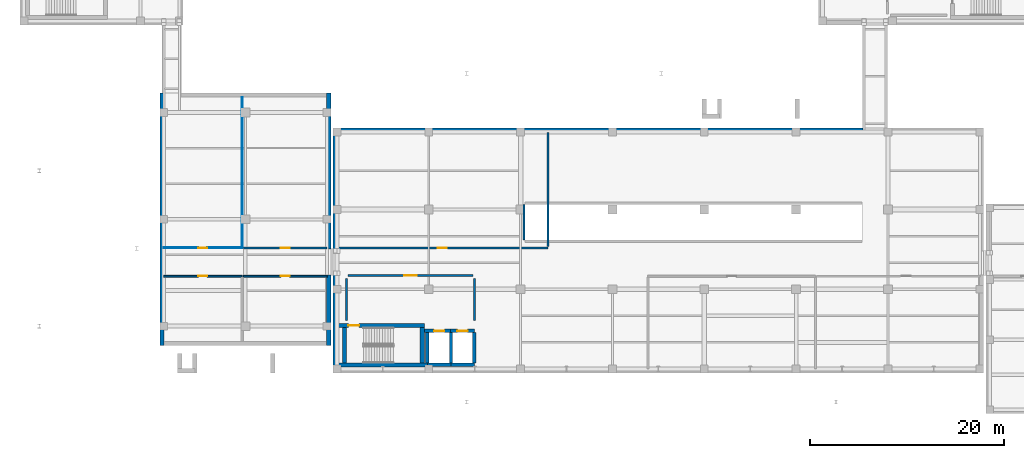
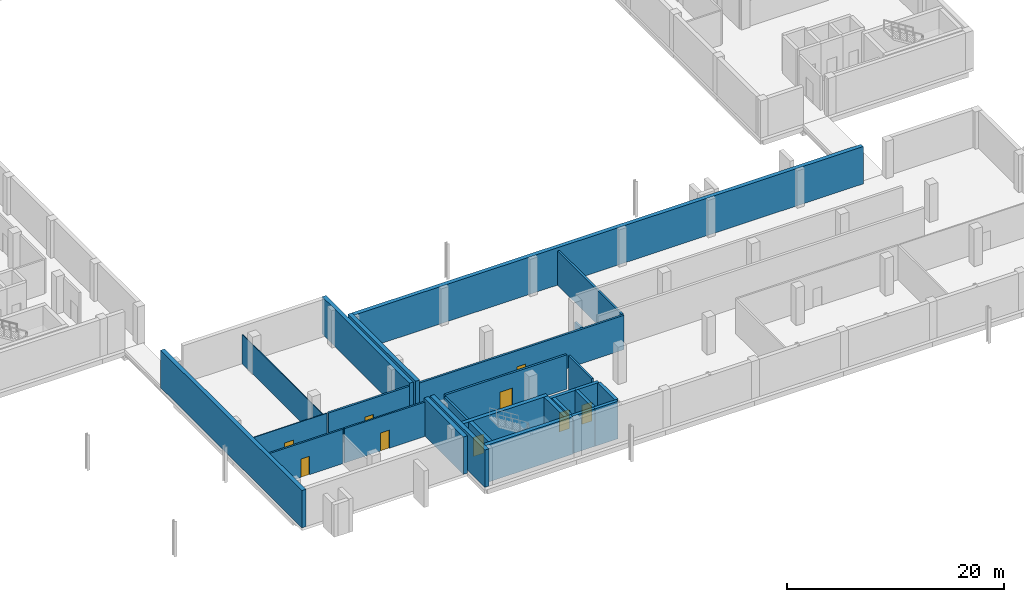
# One storey, part 15 of 31: 28 walls, 9 doors, 9 openings.
"""IFC4 building model written with IfcOpenShell, lengths in metres."""

from ifc_helpers import new_model, si_unit, direction, frame, frame_2d, origin, place, context, subcontext, project, spatial, rectangle, extrude, material, layer, layer_set, type_object, element, fill, save


model = new_model("IFC4")

# Units and contexts
model_context = context("Model", 3, precision=1e-05, world=origin(), true_north=direction((0.0, 1.0)))
body_context = subcontext(model_context, "Body", "Model", "MODEL_VIEW")
ifc_project = project(units=[si_unit("LENGTHUNIT", "METRE"), si_unit("AREAUNIT", "SQUARE_METRE"), si_unit("VOLUMEUNIT", "CUBIC_METRE"), si_unit("PLANEANGLEUNIT", "RADIAN"), si_unit("MASSUNIT", "GRAM", prefix="KILO")], contexts=[model_context])

# Site, building, storey
site_placement = place(None, origin())
site = spatial("IfcSite", under=ifc_project, at=site_placement, CompositionType="ELEMENT")
building_placement = place(site_placement, origin())
building = spatial("IfcBuilding", under=site, at=building_placement, Name="Qalavern Law Courts", CompositionType="ELEMENT")
storey_placement = place(building_placement, frame((0.0, 0.0, -4.199951171875)))
storey = spatial("IfcBuildingStorey", under=building, at=storey_placement, Name="B1", CompositionType="ELEMENT", Elevation=-4.199951171875)

# Walls
ifc_material_1 = material(Name="Concrete C35/45", Category="concrete")
ifc_layer_1 = layer(ifc_material_1, 0.429931640625)
ifc_layer_set_1 = layer_set([ifc_layer_1], Name="Concrete C35/45")
wall_type_1 = type_object("IfcWallType", Name="ENV-EW-RET430", PredefinedType="SOLIDWALL", material=ifc_layer_set_1)
wall_1_placement = place(storey_placement, frame((33.784912109375, 8.0, 0.0), z_axis=(0.0, 0.0, 1.0), x_axis=(0.0, 1.0, 0.0)))
element("IfcWall", 1, at=wall_1_placement, inside=storey, type_object=wall_type_1, Name="V1 basement retaining wall B1 east", PredefinedType="SOLIDWALL", context=body_context, shape_type="SweptSolid", body=[
    extrude(rectangle(XDim=7.25, YDim=0.429931640625, at=frame_2d((3.625, 0.0))), origin(), (0.0, 0.0, 1.0), 4.199951171875),
])
wall_2_placement = place(storey_placement, frame((33.784912109375, 17.949951171875, 0.0), z_axis=(0.0, 0.0, 1.0), x_axis=(0.0, 1.0, 0.0)))
element("IfcWall", 2, at=wall_2_placement, inside=storey, type_object=wall_type_1, Name="V1 basement retaining wall B1 east", PredefinedType="SOLIDWALL", context=body_context, shape_type="SweptSolid", body=[
    extrude(rectangle(XDim=16.050048828125, YDim=0.429931640625, at=frame_2d((8.02490234375, 0.0))), origin(), (0.0, 0.0, 1.0), 4.199951171875),
])
wall_3_placement = place(storey_placement, frame((16.614990234375, 34.0, 0.0), z_axis=(0.0, 0.0, 1.0), x_axis=(0.0, -1.0, 0.0)))
element("IfcWall", 3, at=wall_3_placement, inside=storey, type_object=wall_type_1, Name="V1 basement retaining wall B1 west", PredefinedType="SOLIDWALL", context=body_context, shape_type="SweptSolid", body=[
    extrude(rectangle(XDim=26.0, YDim=0.429931640625, at=frame_2d((13.0, 0.0))), origin(), (0.0, 0.0, 1.0), 4.199951171875),
])
wall_4_placement = place(storey_placement, frame((88.75, 30.18505859375, 0.0), z_axis=(0.0, 0.0, 1.0), x_axis=(-1.0, 0.0, 0.0)))
element("IfcWall", 4, at=wall_4_placement, inside=storey, type_object=wall_type_1, Name="V2 basement retaining wall B1 north", PredefinedType="SOLIDWALL", context=body_context, shape_type="SweptSolid", body=[
    extrude(rectangle(XDim=54.10498046875, YDim=0.429931640625, at=frame_2d((27.052490234375, 0.0))), origin(), (0.0, 0.0, 1.0), 4.199951171875),
])
wall_5_placement = place(storey_placement, frame((34.43505859375, 30.39990234375, 0.0), z_axis=(0.0, 0.0, 1.0), x_axis=(0.0, -1.0, 0.0)))
element("IfcWall", 5, at=wall_5_placement, inside=storey, type_object=wall_type_1, Name="V2 basement retaining wall B1 west", PredefinedType="SOLIDWALL", context=body_context, shape_type="SweptSolid", body=[
    extrude(rectangle(XDim=12.449951171875, YDim=0.429931640625, at=frame_2d((6.22509765625, 0.0))), origin(), (0.0, 0.0, 1.0), 4.199951171875),
])
wall_6_placement = place(storey_placement, frame((34.43505859375, 15.25, 0.0), z_axis=(0.0, 0.0, 1.0), x_axis=(0.0, -1.0, 0.0)))
element("IfcWall", 6, at=wall_6_placement, inside=storey, type_object=wall_type_1, Name="V2 basement retaining wall B1 west", PredefinedType="SOLIDWALL", context=body_context, shape_type="SweptSolid", body=[
    extrude(rectangle(XDim=10.050048828125, YDim=0.429931640625, at=frame_2d((5.02490234375, 0.0))), origin(), (0.0, 0.0, 1.0), 4.199951171875),
])
ifc_material_2 = material(Name="Concrete C45/55", Category="concrete")
ifc_layer_2 = layer(ifc_material_2, 0.4150390625)
ifc_layer_set_2 = layer_set([ifc_layer_2], Name="Concrete C45/55")
wall_type_2 = type_object("IfcWallType", Name="INT-CW-415", PredefinedType="SHEAR", material=ifc_layer_set_2)
wall_7_placement = place(storey_placement, frame((34.653076171875, 5.992431640625, 0.0), z_axis=(0.0, 0.0, 1.0), x_axis=(1.0, 0.0, 0.0)))
element("IfcWall", 7, at=wall_7_placement, inside=storey, type_object=wall_type_2, Name="Core K4 stair shear wall B1 south", PredefinedType="SHEAR", context=body_context, shape_type="SweptSolid", body=[
    extrude(rectangle(XDim=9.271484375, YDim=0.4150390625, at=frame_2d((4.6357421875, 0.0))), origin(), (0.0, 0.0, 1.0), 4.199951171875),
])
wall_8_placement = place(storey_placement, frame((43.407470703125, 6.199951171875, 0.0), z_axis=(0.0, 0.0, 1.0), x_axis=(0.0, 1.0, 0.0)))
element("IfcWall", 8, at=wall_8_placement, inside=storey, type_object=wall_type_2, Name="Core K4 stair shear wall B1 east", PredefinedType="SHEAR", context=body_context, shape_type="SweptSolid", body=[
    extrude(rectangle(XDim=3.650146484375, YDim=0.4150390625, at=frame_2d((1.8251953125, 0.0))), origin(), (0.0, 0.0, 1.0), 4.199951171875),
])

# Wall, opening, door
wall_9_placement = place(storey_placement, frame((43.614990234375, 10.0576171875, 0.0), z_axis=(0.0, 0.0, 1.0), x_axis=(-1.0, 0.0, 0.0)))
wall_9 = element("IfcWall", 9, at=wall_9_placement, inside=storey, type_object=wall_type_2, Name="Core K4 stair shear wall B1 north", PredefinedType="SHEAR", context=body_context, shape_type="SweptSolid", body=[
    extrude(rectangle(XDim=8.9619140625, YDim=0.4150390625, at=frame_2d((4.48095703125, 0.0))), origin(), (0.0, 0.0, 1.0), 4.199951171875),
])
opening_1_placement = place(wall_9_placement, frame((6.715087890625, 0.0, 0.0)))
opening_1 = element("IfcOpeningElement", 10, at=opening_1_placement, cuts=wall_9, Name="Opening B1-D089", PredefinedType="OPENING", context=body_context, shape_type="SweptSolid", body=[
    extrude(rectangle(XDim=1.10009765625, YDim=2.14990234375, at=frame_2d((0.550048828125, 1.074951171875))), frame((0.0, 0.222412109375, 0.0), z_axis=(0.0, -1.0, 0.0), x_axis=(1.0, 0.0, 0.0)), (0.0, 0.0, 1.0), 0.44482421875),
])
ifc_material_3 = material(Name="Steel fire-rated stair enclosure door", Category="steel")
door_type_1 = type_object("IfcDoorType", Name="INT-FD-1100x2150", OperationType="NOTDEFINED", PredefinedType="DOOR", material=ifc_material_3)
door_1_placement = place(opening_1_placement, frame((1.10009765625, 0.0, 0.0), z_axis=(0.0, 0.0, 1.0), x_axis=(-1.0, 0.0, 0.0)))
door_1 = element("IfcDoor", 11, at=door_1_placement, inside=storey, type_object=door_type_1, Name="Stair K4 fire door B1", OperationType="SINGLE_SWING_LEFT", OverallHeight=2.14990234375, OverallWidth=1.10009765625, PredefinedType="DOOR", context=body_context, shape_type="SweptSolid", body=[
    extrude(rectangle(XDim=1.10009765625, YDim=2.14990234375, at=frame_2d((0.550048828125, 1.074951171875))), frame((0.0, 0.02490234375, 0.0), z_axis=(0.0, -1.0, 0.0), x_axis=(1.0, 0.0, 0.0)), (0.0, 0.0, 1.0), 0.050048828125),
])
fill(opening_1, door_1)

# Wall
wall_10_placement = place(storey_placement, frame((35.392578125, 9.85009765625, 0.0), z_axis=(0.0, 0.0, 1.0), x_axis=(0.0, -1.0, 0.0)))
element("IfcWall", 12, at=wall_10_placement, inside=storey, type_object=wall_type_2, Name="Core K4 stair shear wall B1 west", PredefinedType="SHEAR", context=body_context, shape_type="SweptSolid", body=[
    extrude(rectangle(XDim=3.650146484375, YDim=0.4150390625, at=frame_2d((1.8251953125, 0.0))), origin(), (0.0, 0.0, 1.0), 4.199951171875),
])

# Wall, opening, door
ifc_material_4 = material(Name="Concrete C40/50", Category="concrete")
ifc_layer_3 = layer(ifc_material_4, 0.22509765625)
ifc_layer_set_3 = layer_set([ifc_layer_3], Name="Concrete C40/50")
wall_type_3 = type_object("IfcWallType", Name="INT-FW-225", PredefinedType="PARTITIONING", material=ifc_layer_set_3)
wall_11_placement = place(storey_placement, frame((35.75, 15.199951171875, 0.0), z_axis=(0.0, 0.0, 1.0), x_axis=(1.0, 0.0, 0.0)))
wall_11 = element("IfcWall", 13, at=wall_11_placement, inside=storey, type_object=wall_type_3, Name="Core K4 firefighting/stair lobby fire wall B1", PredefinedType="PARTITIONING", context=body_context, shape_type="SweptSolid", body=[
    extrude(rectangle(XDim=12.89990234375, YDim=0.22509765625, at=frame_2d((6.449951171875, 0.0))), origin(), (0.0, 0.0, 1.0), 3.85986328125),
])
opening_2_placement = place(wall_11_placement, frame((5.800048828125, 0.0, 0.0)))
opening_2 = element("IfcOpeningElement", 14, at=opening_2_placement, cuts=wall_11, Name="Opening B1-D090", PredefinedType="OPENING", context=body_context, shape_type="SweptSolid", body=[
    extrude(rectangle(XDim=1.300048828125, YDim=2.14990234375, at=frame_2d((0.64990234375, 1.074951171875))), frame((0.0, 0.12744140625, 0.0), z_axis=(0.0, -1.0, 0.0), x_axis=(1.0, 0.0, 0.0)), (0.0, 0.0, 1.0), 0.2548828125),
])
ifc_material_5 = material(Name="Steel fire-rated frame and acoustic timber leaves", Category="steel")
door_type_2 = type_object("IfcDoorType", Name="INT-FD-1300x2150", OperationType="DOUBLE_DOOR_SINGLE_SWING", PredefinedType="DOOR", material=ifc_material_5)
door_2_placement = place(opening_2_placement, origin())
door_2 = element("IfcDoor", 15, at=door_2_placement, inside=storey, type_object=door_type_2, Name="Core K4 lobby fire door B1", OperationType="DOUBLE_DOOR_SINGLE_SWING", OverallHeight=2.14990234375, OverallWidth=1.300048828125, PredefinedType="DOOR", context=body_context, shape_type="SweptSolid", body=[
    extrude(rectangle(XDim=1.300048828125, YDim=2.14990234375, at=frame_2d((0.64990234375, 1.074951171875))), frame((0.0, 0.02490234375, 0.0), z_axis=(0.0, -1.0, 0.0), x_axis=(1.0, 0.0, 0.0)), (0.0, 0.0, 1.0), 0.050048828125),
])
fill(opening_2, door_2)

# Walls
for number, where, z_axis, x_axis, name in (
    (16, (35.60009765625, 10.60009765625, 0.0), (0.0, 0.0, 1.0), (0.0, 1.0, 0.0), "Core K4 lobby return wall B1 west"),
    (17, (48.800048828125, 10.60009765625, 0.0), (0.0, 0.0, 1.0), (0.0, 1.0, 0.0), "Core K4 lobby return wall B1 east"),
):
    element("IfcWall", number, at=place(storey_placement, frame(where, z_axis=z_axis, x_axis=x_axis)), inside=storey, type_object=wall_type_3, Name=name, PredefinedType="PARTITIONING", context=body_context, shape_type="SweptSolid", body=[
        extrude(rectangle(XDim=4.2998046875, YDim=0.22509765625, at=frame_2d((2.14990234375, 0.0))), origin(), (0.0, 0.0, 1.0), 3.85986328125),
    ])
wall_12_placement = place(storey_placement, frame((53.8798828125, 18.8798828125, 0.0), z_axis=(0.0, 0.0, 1.0), x_axis=(0.0, 1.0, 0.0)))
element("IfcWall", 18, at=wall_12_placement, inside=storey, type_object=wall_type_3, Name="Car Park Vehicle Ramp VG-01 Lower opening head guard wall B1", PredefinedType="PARTITIONING", context=body_context, shape_type="SweptSolid", body=[
    extrude(rectangle(XDim=3.64013671875, YDim=0.22509765625, at=frame_2d((1.820068359375, 0.0))), origin(), (0.0, 0.0, 1.0), 1.25),
])

# Wall, opening, door
ifc_material_6 = material(Name="Gypsum shaft/chase partition")
ifc_layer_4 = layer(ifc_material_6, 0.092041015625)
ifc_layer_set_4 = layer_set([ifc_layer_4], Name="Gypsum shaft/chase partition")
wall_type_4 = type_object("IfcWallType", Name="INT-PW-092", PredefinedType="PARTITIONING", material=ifc_layer_set_4)
wall_13_placement = place(storey_placement, frame((16.780029296875, 18.06005859375, 0.0), z_axis=(0.0, 0.0, 1.0), x_axis=(1.0, 0.0, 0.0)))
wall_13 = element("IfcWall", 19, at=wall_13_placement, inside=storey, type_object=wall_type_4, Name="Central Security Archive corridor partition B1", PredefinedType="PARTITIONING", context=body_context, shape_type="SweptSolid", body=[
    extrude(rectangle(XDim=8.0849609375, YDim=0.092041015625, at=frame_2d((4.04248046875, 0.0))), origin(), (0.0, 0.0, 1.0), 3.85986328125),
])
opening_3_placement = place(wall_13_placement, frame((3.577392578125, 0.0, 0.0)))
opening_3 = element("IfcOpeningElement", 20, at=opening_3_placement, cuts=wall_13, Name="Opening B1-D113", PredefinedType="OPENING", context=body_context, shape_type="SweptSolid", body=[
    extrude(rectangle(XDim=0.929931640625, YDim=2.080078125, at=frame_2d((0.46484375, 1.0400390625))), frame((0.0, 0.06103515625, 0.0), z_axis=(0.0, -1.0, 0.0), x_axis=(1.0, 0.0, 0.0)), (0.0, 0.0, 1.0), 0.121826171875),
])
ifc_material_7 = material(Name="Steel Legal Archive Vault door", Category="steel")
door_type_3 = type_object("IfcDoorType", Name="INT-ID-930x2080", OperationType="NOTDEFINED", PredefinedType="DOOR", material=ifc_material_7)
door_3_placement = place(opening_3_placement, origin())
door_3 = element("IfcDoor", 21, at=door_3_placement, inside=storey, type_object=door_type_3, Name="Central Security Archive door B1", OperationType="SINGLE_SWING_RIGHT", OverallHeight=2.080078125, OverallWidth=0.929931640625, PredefinedType="DOOR", context=body_context, shape_type="SweptSolid", body=[
    extrude(rectangle(XDim=0.929931640625, YDim=2.080078125, at=frame_2d((0.46484375, 1.0400390625))), frame((0.0, 0.02490234375, 0.0), z_axis=(0.0, -1.0, 0.0), x_axis=(1.0, 0.0, 0.0)), (0.0, 0.0, 1.0), 0.050048828125),
])
fill(opening_3, door_3)

# Wall
wall_14_placement = place(storey_placement, frame((24.864990234375, 18.1259765625, 0.0), z_axis=(0.0, 0.0, 1.0), x_axis=(0.0, 1.0, 0.0)))
element("IfcWall", 22, at=wall_14_placement, inside=storey, type_object=wall_type_4, Name="Central Security Archive cross partition B1 east", PredefinedType="PARTITIONING", context=body_context, shape_type="SweptSolid", body=[
    extrude(rectangle(XDim=15.43408203125, YDim=0.092041015625, at=frame_2d((7.717041015625, 0.0))), origin(), (0.0, 0.0, 1.0), 3.2900390625),
])

# Wall, opening, door
ifc_material_8 = material(Name="Gypsum acoustic stud partition")
ifc_layer_5 = layer(ifc_material_8, 0.174072265625)
ifc_layer_set_5 = layer_set([ifc_layer_5], Name="Gypsum acoustic stud partition")
wall_type_5 = type_object("IfcWallType", Name="INT-PW-174", PredefinedType="PARTITIONING", material=ifc_layer_set_5)
wall_15_placement = place(storey_placement, frame((24.985107421875, 15.139892578125, 0.0), z_axis=(0.0, 0.0, 1.0), x_axis=(1.0, 0.0, 0.0)))
wall_15 = element("IfcWall", 23, at=wall_15_placement, inside=storey, type_object=wall_type_5, Name="Building Management Control corridor partition B1", PredefinedType="PARTITIONING", context=body_context, shape_type="SweptSolid", body=[
    extrude(rectangle(XDim=8.635009765625, YDim=0.174072265625, at=frame_2d((4.3173828125, 0.0))), origin(), (0.0, 0.0, 1.0), 3.85986328125),
])
opening_4_placement = place(wall_15_placement, frame((3.862548828125, 0.0, 0.0)))
opening_4 = element("IfcOpeningElement", 24, at=opening_4_placement, cuts=wall_15, Name="Opening B1-D112", PredefinedType="OPENING", context=body_context, shape_type="SweptSolid", body=[
    extrude(rectangle(XDim=0.909912109375, YDim=2.0400390625, at=frame_2d((0.455078125, 1.02001953125))), frame((0.0, 0.10205078125, 0.0), z_axis=(0.0, -1.0, 0.0), x_axis=(1.0, 0.0, 0.0)), (0.0, 0.0, 1.0), 0.203857421875),
])
ifc_material_9 = material(Name="Steel MEP Plant Room door", Category="steel")
door_type_4 = type_object("IfcDoorType", Name="INT-ID-910x2040", OperationType="NOTDEFINED", PredefinedType="DOOR", material=ifc_material_9)
door_4_placement = place(opening_4_placement, frame((0.909912109375, 0.0, 0.0), z_axis=(0.0, 0.0, 1.0), x_axis=(-1.0, 0.0, 0.0)))
door_4 = element("IfcDoor", 25, at=door_4_placement, inside=storey, type_object=door_type_4, Name="Building Management Control door B1", OperationType="SINGLE_SWING_LEFT", OverallHeight=2.0400390625, OverallWidth=0.909912109375, PredefinedType="DOOR", context=body_context, shape_type="SweptSolid", body=[
    extrude(rectangle(XDim=0.909912109375, YDim=2.0400390625, at=frame_2d((0.455078125, 1.02001953125))), frame((0.0, 0.02490234375, 0.0), z_axis=(0.0, -1.0, 0.0), x_axis=(1.0, 0.0, 0.0)), (0.0, 0.0, 1.0), 0.050048828125),
])
fill(opening_4, door_4)

ifc_layer_6 = layer(ifc_material_8, 0.18603515625)
ifc_layer_set_6 = layer_set([ifc_layer_6], Name="Gypsum acoustic stud partition")
wall_type_6 = type_object("IfcWallType", Name="INT-PW-186", PredefinedType="PARTITIONING", material=ifc_layer_set_6)
wall_16_placement = place(storey_placement, frame((16.780029296875, 15.139892578125, 0.0), z_axis=(0.0, 0.0, 1.0), x_axis=(1.0, 0.0, 0.0)))
wall_16 = element("IfcWall", 26, at=wall_16_placement, inside=storey, type_object=wall_type_6, Name="Central Security Archive corridor partition B1", PredefinedType="PARTITIONING", context=body_context, shape_type="SweptSolid", body=[
    extrude(rectangle(XDim=8.0849609375, YDim=0.18603515625, at=frame_2d((4.04248046875, 0.0))), origin(), (0.0, 0.0, 1.0), 3.85986328125),
])
opening_5_placement = place(wall_16_placement, frame((3.577392578125, 0.0, 0.0)))
opening_5 = element("IfcOpeningElement", 27, at=opening_5_placement, cuts=wall_16, Name="Opening B1-D111", PredefinedType="OPENING", context=body_context, shape_type="SweptSolid", body=[
    extrude(rectangle(XDim=0.929931640625, YDim=2.080078125, at=frame_2d((0.46484375, 1.0400390625))), frame((0.0, 0.10791015625, 0.0), z_axis=(0.0, -1.0, 0.0), x_axis=(1.0, 0.0, 0.0)), (0.0, 0.0, 1.0), 0.2158203125),
])
door_5_placement = place(opening_5_placement, frame((0.929931640625, 0.0, 0.0), z_axis=(0.0, 0.0, 1.0), x_axis=(-1.0, 0.0, 0.0)))
door_5 = element("IfcDoor", 28, at=door_5_placement, inside=storey, type_object=door_type_3, Name="Central Security Archive door B1", OperationType="SINGLE_SWING_RIGHT", OverallHeight=2.080078125, OverallWidth=0.929931640625, PredefinedType="DOOR", context=body_context, shape_type="SweptSolid", body=[
    extrude(rectangle(XDim=0.929931640625, YDim=2.080078125, at=frame_2d((0.46484375, 1.0400390625))), frame((0.0, 0.02490234375, 0.0), z_axis=(0.0, -1.0, 0.0), x_axis=(1.0, 0.0, 0.0)), (0.0, 0.0, 1.0), 0.050048828125),
])
fill(opening_5, door_5)

ifc_material_10 = material(Name="Gypsum acoustic double-stud partition")
ifc_layer_7 = layer(ifc_material_10, 0.2119140625)
ifc_layer_set_7 = layer_set([ifc_layer_7], Name="Gypsum acoustic double-stud partition")
wall_type_7 = type_object("IfcWallType", Name="INT-PW-212", PredefinedType="PARTITIONING", material=ifc_layer_set_7)
wall_17_placement = place(storey_placement, frame((24.985107421875, 18.06005859375, 0.0), z_axis=(0.0, 0.0, 1.0), x_axis=(1.0, 0.0, 0.0)))
wall_17 = element("IfcWall", 29, at=wall_17_placement, inside=storey, type_object=wall_type_7, Name="Building Management Control corridor partition B1", PredefinedType="PARTITIONING", context=body_context, shape_type="SweptSolid", body=[
    extrude(rectangle(XDim=8.635009765625, YDim=0.2119140625, at=frame_2d((4.3173828125, 0.0))), origin(), (0.0, 0.0, 1.0), 3.85986328125),
])
opening_6_placement = place(wall_17_placement, frame((3.862548828125, 0.0, 0.0)))
opening_6 = element("IfcOpeningElement", 30, at=opening_6_placement, cuts=wall_17, Name="Opening B1-D114", PredefinedType="OPENING", context=body_context, shape_type="SweptSolid", body=[
    extrude(rectangle(XDim=0.909912109375, YDim=2.0400390625, at=frame_2d((0.455078125, 1.02001953125))), frame((0.0, 0.120849609375, 0.0), z_axis=(0.0, -1.0, 0.0), x_axis=(1.0, 0.0, 0.0)), (0.0, 0.0, 1.0), 0.24169921875),
])
door_6_placement = place(opening_6_placement, origin())
door_6 = element("IfcDoor", 31, at=door_6_placement, inside=storey, type_object=door_type_4, Name="Building Management Control door B1", OperationType="SINGLE_SWING_LEFT", OverallHeight=2.0400390625, OverallWidth=0.909912109375, PredefinedType="DOOR", context=body_context, shape_type="SweptSolid", body=[
    extrude(rectangle(XDim=0.909912109375, YDim=2.0400390625, at=frame_2d((0.455078125, 1.02001953125))), frame((0.0, 0.02490234375, 0.0), z_axis=(0.0, -1.0, 0.0), x_axis=(1.0, 0.0, 0.0)), (0.0, 0.0, 1.0), 0.050048828125),
])
fill(opening_6, door_6)

wall_18_placement = place(storey_placement, frame((34.60009765625, 18.06005859375, 0.0), z_axis=(0.0, 0.0, 1.0), x_axis=(1.0, 0.0, 0.0)))
wall_18 = element("IfcWall", 32, at=wall_18_placement, inside=storey, type_object=wall_type_7, Name="Mechanical AHU Plant corridor partition B1", PredefinedType="PARTITIONING", context=body_context, shape_type="SweptSolid", body=[
    extrude(rectangle(XDim=21.7578125, YDim=0.2119140625, at=frame_2d((10.87890625, 0.0))), origin(), (0.0, 0.0, 1.0), 3.85986328125),
])
opening_7_placement = place(wall_18_placement, frame((10.424072265625, 0.0, 0.0)))
opening_7 = element("IfcOpeningElement", 33, at=opening_7_placement, cuts=wall_18, Name="Opening B1-D151", PredefinedType="OPENING", context=body_context, shape_type="SweptSolid", body=[
    extrude(rectangle(XDim=0.909912109375, YDim=2.0400390625, at=frame_2d((0.455078125, 1.02001953125))), frame((0.0, 0.120849609375, 0.0), z_axis=(0.0, -1.0, 0.0), x_axis=(1.0, 0.0, 0.0)), (0.0, 0.0, 1.0), 0.24169921875),
])
door_7_placement = place(opening_7_placement, origin())
door_7 = element("IfcDoor", 34, at=door_7_placement, inside=storey, type_object=door_type_4, Name="Mechanical AHU Plant door B1", OperationType="SINGLE_SWING_RIGHT", OverallHeight=2.0400390625, OverallWidth=0.909912109375, PredefinedType="DOOR", context=body_context, shape_type="SweptSolid", body=[
    extrude(rectangle(XDim=0.909912109375, YDim=2.0400390625, at=frame_2d((0.455078125, 1.02001953125))), frame((0.0, 0.02490234375, 0.0), z_axis=(0.0, -1.0, 0.0), x_axis=(1.0, 0.0, 0.0)), (0.0, 0.0, 1.0), 0.050048828125),
])
fill(opening_7, door_7)

# Walls
wall_19_placement = place(storey_placement, frame((56.35791015625, 18.18603515625, 0.0), z_axis=(0.0, 0.0, 1.0), x_axis=(0.0, 1.0, 0.0)))
element("IfcWall", 35, at=wall_19_placement, inside=storey, type_object=wall_type_7, Name="Mechanical AHU Plant cross partition B1 east", PredefinedType="PARTITIONING", context=body_context, shape_type="SweptSolid", body=[
    extrude(rectangle(XDim=11.77392578125, YDim=0.2119140625, at=frame_2d((5.886962890625, 0.0))), origin(), (0.0, 0.0, 1.0), 3.85986328125),
])
ifc_layer_8 = layer(ifc_material_2, 0.344970703125)
ifc_layer_set_8 = layer_set([ifc_layer_8], Name="Concrete C45/55")
wall_type_8 = type_object("IfcWallType", Name="INT-SW-345", PredefinedType="SHEAR", material=ifc_layer_set_8)
wall_20_placement = place(storey_placement, frame((43.927490234375, 6.027587890625, 0.0), z_axis=(0.0, 0.0, 1.0), x_axis=(1.0, 0.0, 0.0)))
element("IfcWall", 36, at=wall_20_placement, inside=storey, type_object=wall_type_8, Name="Lift LF-P3 shaft wall B1 south", PredefinedType="SHEAR", context=body_context, shape_type="SweptSolid", body=[
    extrude(rectangle(XDim=2.445068359375, YDim=0.344970703125, at=frame_2d((1.22265625, 0.0))), origin(), (0.0, 0.0, 1.0), 4.199951171875),
])
wall_21_placement = place(storey_placement, frame((46.37255859375, 6.199951171875, 0.0), z_axis=(0.0, 0.0, 1.0), x_axis=(0.0, 1.0, 0.0)))
element("IfcWall", 37, at=wall_21_placement, inside=storey, type_object=wall_type_8, Name="Lift LF-P3 shaft wall B1 east", PredefinedType="SHEAR", context=body_context, shape_type="SweptSolid", body=[
    extrude(rectangle(XDim=3.150146484375, YDim=0.344970703125, at=frame_2d((1.5751953125, 0.0))), origin(), (0.0, 0.0, 1.0), 4.199951171875),
])

# Wall, opening, door
wall_22_placement = place(storey_placement, frame((46.37255859375, 9.5224609375, 0.0), z_axis=(0.0, 0.0, 1.0), x_axis=(-1.0, 0.0, 0.0)))
wall_22 = element("IfcWall", 38, at=wall_22_placement, inside=storey, type_object=wall_type_8, Name="Lift LF-P3 shaft wall B1 north", PredefinedType="SHEAR", context=body_context, shape_type="SweptSolid", body=[
    extrude(rectangle(XDim=2.754638671875, YDim=0.344970703125, at=frame_2d((1.37744140625, 0.0))), origin(), (0.0, 0.0, 1.0), 4.199951171875),
])
opening_8_placement = place(wall_22_placement, frame((0.697509765625, 0.0, 0.0)))
opening_8 = element("IfcOpeningElement", 39, at=opening_8_placement, cuts=wall_22, Name="Opening LD-LF-P3-B1", PredefinedType="OPENING", context=body_context, shape_type="SweptSolid", body=[
    extrude(rectangle(XDim=1.050048828125, YDim=2.14990234375, at=frame_2d((0.52490234375, 1.074951171875))), frame((0.0, 0.1875, 0.0), z_axis=(0.0, -1.0, 0.0), x_axis=(1.0, 0.0, 0.0)), (0.0, 0.0, 1.0), 0.374755859375),
])
ifc_material_11 = material(Name="Brushed stainless steel passenger lift sliding landing door", Category="steel")
door_type_5 = type_object("IfcDoorType", Name="INT-LD-1050x2150", OperationType="DOUBLE_DOOR_SLIDING", PredefinedType="DOOR", material=ifc_material_11)
door_8_placement = place(opening_8_placement, origin())
door_8 = element("IfcDoor", 40, at=door_8_placement, inside=storey, type_object=door_type_5, Name="Lift LF-P3 sliding landing door B1", OperationType="DOUBLE_DOOR_SLIDING", OverallHeight=2.14990234375, OverallWidth=1.050048828125, PredefinedType="DOOR", context=body_context, shape_type="SweptSolid", body=[
    extrude(rectangle(XDim=1.050048828125, YDim=2.14990234375, at=frame_2d((0.52490234375, 1.074951171875))), frame((0.0, 0.02490234375, 0.0), z_axis=(0.0, -1.0, 0.0), x_axis=(1.0, 0.0, 0.0)), (0.0, 0.0, 1.0), 0.050048828125),
])
fill(opening_8, door_8)

# Walls
wall_23_placement = place(storey_placement, frame((43.927490234375, 9.35009765625, 0.0), z_axis=(0.0, 0.0, 1.0), x_axis=(0.0, -1.0, 0.0)))
element("IfcWall", 41, at=wall_23_placement, inside=storey, type_object=wall_type_8, Name="Lift LF-P3 shaft wall B1 west", PredefinedType="SHEAR", context=body_context, shape_type="SweptSolid", body=[
    extrude(rectangle(XDim=3.150146484375, YDim=0.344970703125, at=frame_2d((1.5751953125, 0.0))), origin(), (0.0, 0.0, 1.0), 4.199951171875),
])
wall_24_placement = place(storey_placement, frame((46.327392578125, 6.027587890625, 0.0), z_axis=(0.0, 0.0, 1.0), x_axis=(1.0, 0.0, 0.0)))
element("IfcWall", 42, at=wall_24_placement, inside=storey, type_object=wall_type_8, Name="Lift LF-P4 shaft wall B1 south", PredefinedType="SHEAR", context=body_context, shape_type="SweptSolid", body=[
    extrude(rectangle(XDim=2.445068359375, YDim=0.344970703125, at=frame_2d((1.22265625, 0.0))), origin(), (0.0, 0.0, 1.0), 4.199951171875),
])
wall_25_placement = place(storey_placement, frame((48.7724609375, 6.199951171875, 0.0), z_axis=(0.0, 0.0, 1.0), x_axis=(0.0, 1.0, 0.0)))
element("IfcWall", 43, at=wall_25_placement, inside=storey, type_object=wall_type_8, Name="Lift LF-P4 shaft wall B1 east", PredefinedType="SHEAR", context=body_context, shape_type="SweptSolid", body=[
    extrude(rectangle(XDim=3.150146484375, YDim=0.344970703125, at=frame_2d((1.5751953125, 0.0))), origin(), (0.0, 0.0, 1.0), 4.199951171875),
])

# Wall, opening, door
wall_26_placement = place(storey_placement, frame((48.7724609375, 9.5224609375, 0.0), z_axis=(0.0, 0.0, 1.0), x_axis=(-1.0, 0.0, 0.0)))
wall_26 = element("IfcWall", 44, at=wall_26_placement, inside=storey, type_object=wall_type_8, Name="Lift LF-P4 shaft wall B1 north", PredefinedType="SHEAR", context=body_context, shape_type="SweptSolid", body=[
    extrude(rectangle(XDim=2.445068359375, YDim=0.344970703125, at=frame_2d((1.22265625, 0.0))), origin(), (0.0, 0.0, 1.0), 4.199951171875),
])
opening_9_placement = place(wall_26_placement, frame((0.697509765625, 0.0, 0.0)))
opening_9 = element("IfcOpeningElement", 45, at=opening_9_placement, cuts=wall_26, Name="Opening LD-LF-P4-B1", PredefinedType="OPENING", context=body_context, shape_type="SweptSolid", body=[
    extrude(rectangle(XDim=1.050048828125, YDim=2.14990234375, at=frame_2d((0.52490234375, 1.074951171875))), frame((0.0, 0.1875, 0.0), z_axis=(0.0, -1.0, 0.0), x_axis=(1.0, 0.0, 0.0)), (0.0, 0.0, 1.0), 0.374755859375),
])
door_9_placement = place(opening_9_placement, origin())
door_9 = element("IfcDoor", 46, at=door_9_placement, inside=storey, type_object=door_type_5, Name="Lift LF-P4 sliding landing door B1", OperationType="DOUBLE_DOOR_SLIDING", OverallHeight=2.14990234375, OverallWidth=1.050048828125, PredefinedType="DOOR", context=body_context, shape_type="SweptSolid", body=[
    extrude(rectangle(XDim=1.050048828125, YDim=2.14990234375, at=frame_2d((0.52490234375, 1.074951171875))), frame((0.0, 0.02490234375, 0.0), z_axis=(0.0, -1.0, 0.0), x_axis=(1.0, 0.0, 0.0)), (0.0, 0.0, 1.0), 0.050048828125),
])
fill(opening_9, door_9)

save(model, "model.ifc")
